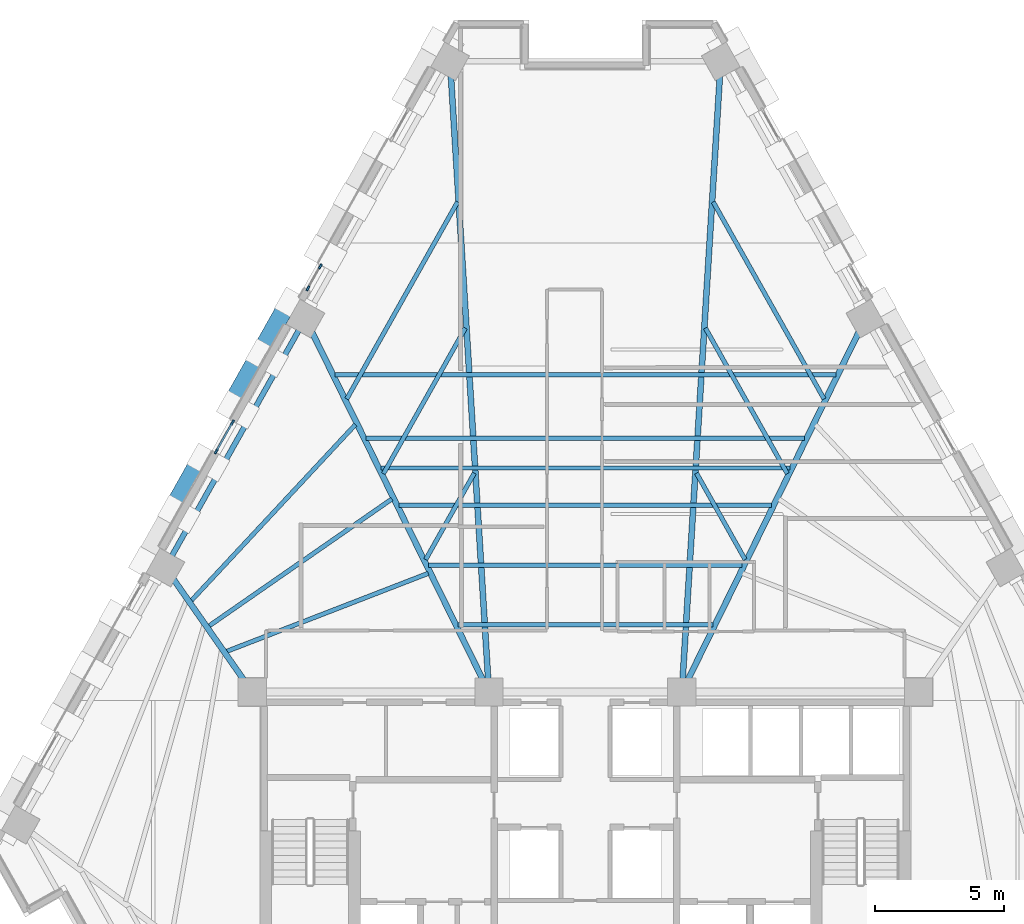
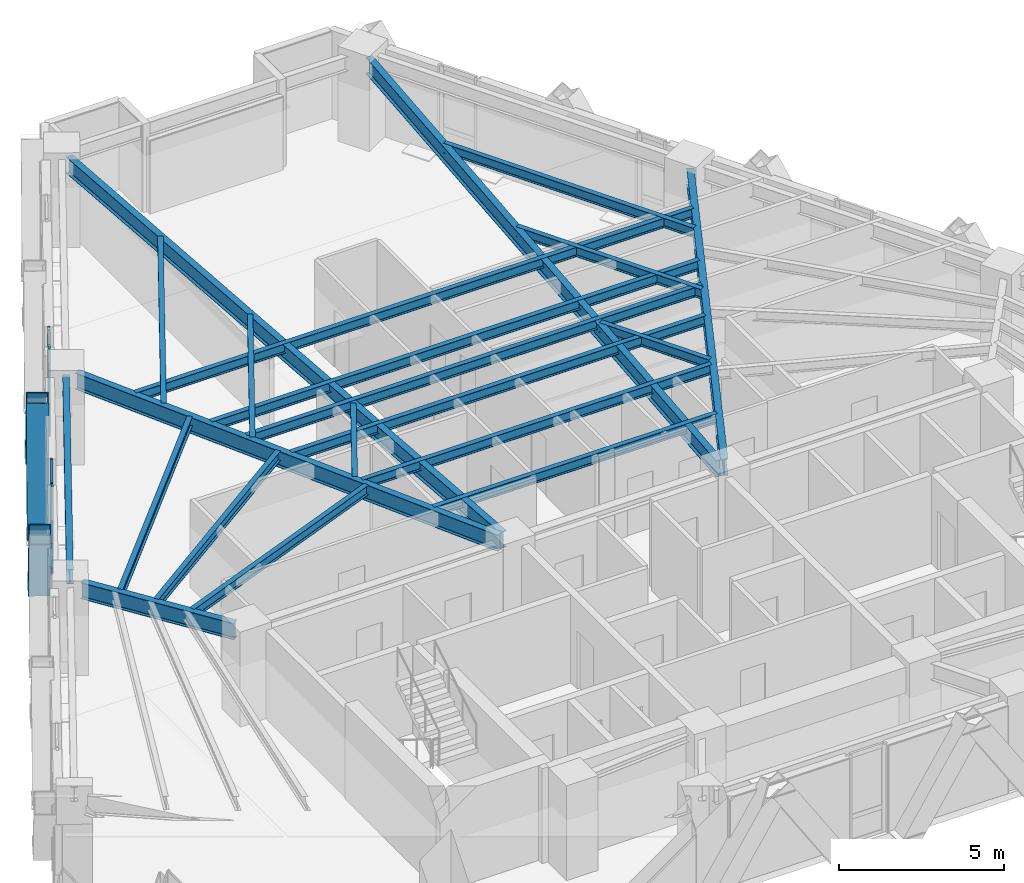
# One storey, part 3 of 13: 21 beams, 10 members, 2 elements without a shape of their own.
"""IFC4 building model written with IfcOpenShell, lengths in metres."""

from ifc_helpers import new_model, si_unit, direction, frame, origin, origin_2d, place, context, subcontext, project, spatial, rectangle, hollow_rectangle, i_section, extrude, material, material_profile, profile_set, type_object, element, aggregate, save


model = new_model("IFC4")

# Units and contexts
model_context = context("Model", 3, precision=1e-05, world=origin(), true_north=direction((0.0, 1.0)))
body_context = subcontext(model_context, "Body", "Model", "MODEL_VIEW")
ifc_project = project(units=[si_unit("LENGTHUNIT", "METRE"), si_unit("AREAUNIT", "SQUARE_METRE"), si_unit("VOLUMEUNIT", "CUBIC_METRE"), si_unit("PLANEANGLEUNIT", "RADIAN"), si_unit("MASSUNIT", "GRAM", prefix="KILO")], contexts=[model_context])

# Site, building, storey
site_placement = place(None, origin())
site = spatial("IfcSite", under=ifc_project, at=site_placement, CompositionType="ELEMENT")
building_placement = place(site_placement, origin())
building = spatial("IfcBuilding", under=site, at=building_placement, Name="Quenlor Broadcast Tower", CompositionType="ELEMENT")
storey_placement = place(building_placement, frame((0.0, 0.0, 116.0)))
storey = spatial("IfcBuildingStorey", under=building, at=storey_placement, Name="L31", CompositionType="ELEMENT", Elevation=116.0)

# Curtain wall, members
ifc_material_1 = material(Name="Architectural Terracotta and Low-E Glazing", Category="masonry")
curtain_wall_type = type_object("IfcCurtainWallType", Name="Unitised Terracotta Curtain Wall System Z2", PredefinedType="NOTDEFINED", material=ifc_material_1)
curtain_wall_1_placement = place(storey_placement, origin())
curtain_wall_1 = element("IfcCurtainWall", 1, at=curtain_wall_1_placement, inside=storey, type_object=curtain_wall_type, Name="L31 Curtain Wall CW2 (L31-NWC-G1)", PredefinedType="NOTDEFINED")
ifc_material_2 = material(Name="Aluminium 6063-T6", Category="aluminium")
ifc_material_profile_1 = material_profile(ifc_material_2, rectangle(XDim=0.074951171875, YDim=0.199951171875, at=origin_2d()))
ifc_profile_set_1 = profile_set([ifc_material_profile_1], Name="Aluminium 6063-T6 MULL75x200")
member_type_1 = type_object("IfcMemberType", Name="CW2 Aluminium Mullion MULL_CW2", PredefinedType="MULLION", material=ifc_profile_set_1)
member_1_placement = place(storey_placement, frame((-10.7880859375, 10.894775390625, 0.0), z_axis=(0.0, 0.0, 1.0), x_axis=(-0.871580587336, 0.490252261371, 0.0)))
member_1 = element("IfcMember", 2, at=member_1_placement, type_object=member_type_1, Name="CW2 mullion 1", PredefinedType="MULLION", context=body_context, shape_type="SweptSolid", body=[
    extrude(rectangle(XDim=0.074951171875, YDim=0.199951171875, at=origin_2d()), origin(), (0.0, 0.0, 1.0), 3.25),
])
member_2_placement = place(storey_placement, frame((-10.306396484375, 11.751220703125, 0.0), z_axis=(0.0, 0.0, 1.0), x_axis=(-0.871580587336, 0.490252261371, 0.0)))
member_2 = element("IfcMember", 3, at=member_2_placement, type_object=member_type_1, Name="CW2 mullion 2", PredefinedType="MULLION", context=body_context, shape_type="SweptSolid", body=[
    extrude(rectangle(XDim=0.074951171875, YDim=0.199951171875, at=origin_2d()), origin(), (0.0, 0.0, 1.0), 3.25),
])
aggregate(curtain_wall_1, [member_1, member_2])

curtain_wall_2_placement = place(storey_placement, origin())
curtain_wall_2 = element("IfcCurtainWall", 4, at=curtain_wall_2_placement, inside=storey, type_object=curtain_wall_type, Name="L31 Curtain Wall CW2 (L31-NW-G1)", PredefinedType="NOTDEFINED")
member_3_placement = place(storey_placement, frame((-14.3515625, 4.559814453125, 0.0), z_axis=(0.0, 0.0, 1.0), x_axis=(-0.871579452423, 0.490254279037, 0.0)))
member_3 = element("IfcMember", 5, at=member_3_placement, type_object=member_type_1, Name="CW2 mullion 1", PredefinedType="MULLION", context=body_context, shape_type="SweptSolid", body=[
    extrude(rectangle(XDim=0.074951171875, YDim=0.199951171875, at=origin_2d()), origin(), (0.0, 0.0, 1.0), 3.25),
])
member_4_placement = place(storey_placement, frame((-13.719482421875, 5.683349609375, 0.0), z_axis=(0.0, 0.0, 1.0), x_axis=(-0.871579452423, 0.490254279037, 0.0)))
member_4 = element("IfcMember", 6, at=member_4_placement, type_object=member_type_1, Name="CW2 mullion 2", PredefinedType="MULLION", context=body_context, shape_type="SweptSolid", body=[
    extrude(rectangle(XDim=0.074951171875, YDim=0.199951171875, at=origin_2d()), origin(), (0.0, 0.0, 1.0), 3.25),
])
ifc_material_3 = material(Name="Aluminium 6063-T6", Category="aluminium")
ifc_material_profile_2 = material_profile(ifc_material_3, rectangle(XDim=0.074951171875, YDim=0.1650390625, at=origin_2d()))
ifc_profile_set_2 = profile_set([ifc_material_profile_2], Name="Aluminium 6063-T6 TRAN75x165")
member_type_2 = type_object("IfcMemberType", Name="CW2 Aluminium Transom TRAN_CW2", PredefinedType="USERDEFINED", material=ifc_profile_set_2)
member_5_placement = place(storey_placement, frame((-14.333251953125, 4.592529296875, 0.03759765625), z_axis=(0.490433072585, 0.871478858788, 0.0), x_axis=(-0.871478858788, 0.490433072585, 0.0)))
member_5 = element("IfcMember", 7, at=member_5_placement, type_object=member_type_2, Name="CW2 transom 1.1", ObjectType="TRANSOM", PredefinedType="USERDEFINED", context=body_context, shape_type="SweptSolid", body=[
    extrude(rectangle(XDim=0.074951171875, YDim=0.1650390625, at=origin_2d()), origin(), (0.0, 0.0, 1.0), 1.214111328125),
])
member_6_placement = place(storey_placement, frame((-14.333251953125, 4.592529296875, 0.949951171875), z_axis=(0.490433072585, 0.871478858788, 0.0), x_axis=(-0.871478858788, 0.490433072585, 0.0)))
member_6 = element("IfcMember", 8, at=member_6_placement, type_object=member_type_2, Name="CW2 transom 1.2", ObjectType="TRANSOM", PredefinedType="USERDEFINED", context=body_context, shape_type="SweptSolid", body=[
    extrude(rectangle(XDim=0.074951171875, YDim=0.1650390625, at=origin_2d()), origin(), (0.0, 0.0, 1.0), 1.214111328125),
])
member_7_placement = place(storey_placement, frame((-14.333251953125, 4.592529296875, 3.21240234375), z_axis=(0.490433072585, 0.871478858788, 0.0), x_axis=(-0.871478858788, 0.490433072585, 0.0)))
member_7 = element("IfcMember", 9, at=member_7_placement, type_object=member_type_2, Name="CW2 transom 1.3", ObjectType="TRANSOM", PredefinedType="USERDEFINED", context=body_context, shape_type="SweptSolid", body=[
    extrude(rectangle(XDim=0.074951171875, YDim=0.1650390625, at=origin_2d()), origin(), (0.0, 0.0, 1.0), 1.214111328125),
])
aggregate(curtain_wall_2, [member_3, member_4, member_5, member_6, member_7])

# Members
ifc_material_4 = material(Name="Steel S355", Category="steel")
ifc_material_profile_3 = material_profile(ifc_material_4, hollow_rectangle(XDim=0.679931640625, YDim=0.679931640625, WallThickness=0.030029296875, at=origin_2d()))
ifc_profile_set_3 = profile_set([ifc_material_profile_3], Name="Steel S355 RHS680x680x30")
member_type_3 = type_object("IfcMemberType", Name="Perimeter Diagonal Lattice Brace Z2 Steel S355 RHS680x30", PredefinedType="BRACE", material=ifc_profile_set_3)
for number, where, z_axis, x_axis, name in (
    (10, (-13.80419921875, 6.338623046875, -0.1201171875), (0.268642373731, 0.477592925498, 0.83650240439), (-0.871578380919, 0.490256183964, 0.0), "L31 Perimeter Diamond Lattice NW-C3S"),
    (11, (-14.955322265625, 4.291748046875, -0.1201171875), (-0.268696511206, -0.477585438485, 0.836489290913), (0.871532878923, -0.490337068716, 0.0), "L31 Perimeter Diamond Lattice NW-C3B"),
):
    element("IfcMember", number, at=place(storey_placement, frame(where, z_axis=z_axis, x_axis=x_axis)), inside=storey, type_object=member_type_3, Name=name, PredefinedType="BRACE", context=body_context, shape_type="SweptSolid", body=[
        extrude(hollow_rectangle(XDim=0.679931640625, YDim=0.679931640625, WallThickness=0.030029296875, at=origin_2d()), origin(), (0.0, 0.0, 1.0), 4.18408203125),
    ])
member_8_placement = place(storey_placement, frame((-11.54248046875, 10.359619140625, -0.1201171875), z_axis=(-0.268634887212, -0.477637964099, 0.83647909276), x_axis=(0.871603971106, -0.490210686901, 0.0)))
element("IfcMember", 12, at=member_8_placement, inside=storey, type_object=member_type_3, Name="L31 Perimeter Diamond Lattice NW-C4B", PredefinedType="BRACE", context=body_context, shape_type="SweptSolid", body=[
    extrude(hollow_rectangle(XDim=0.679931640625, YDim=0.679931640625, WallThickness=0.030029296875, at=origin_2d()), origin(), (0.0, 0.0, 1.0), 4.184326171875),
])

# Beams
ifc_material_5 = material(Name="Steel S355", Category="steel")
ifc_material_profile_4 = material_profile(ifc_material_5, i_section(OverallWidth=0.208984375, OverallDepth=0.5283203125, WebThickness=0.009521484375, FlangeThickness=0.01318359375, FilletRadius=0.013916015625, at=origin_2d()))
ifc_profile_set_4 = profile_set([ifc_material_profile_4], Name="Steel S355 530UB82.0")
beam_type_1 = type_object("IfcBeamType", Name="Perimeter Spandrel Beam Z2 Steel S355 530UB82.0", PredefinedType="SPANDREL", material=ifc_profile_set_4)
beam_1_placement = place(storey_placement, frame((-11.087890625, 9.3623046875, 2.98583984375), z_axis=(-0.49026462139, -0.871573634878, 0.0), x_axis=(0.871573634878, -0.49026462139, 0.0)))
element("IfcBeam", 13, at=beam_1_placement, inside=storey, type_object=beam_type_1, Name="L31 Spandrel Beam NW2-NW3", PredefinedType="SPANDREL", context=body_context, shape_type="SweptSolid", body=[
    extrude(i_section(OverallWidth=0.208984375, OverallDepth=0.5283203125, WebThickness=0.009521484375, FlangeThickness=0.01318359375, FilletRadius=0.013916015625, at=origin_2d()), origin(), (0.0, 0.0, 1.0), 10.28271484375),
])
ifc_material_6 = material(Name="Steel S355", Category="steel")
ifc_material_profile_5 = material_profile(ifc_material_6, i_section(OverallWidth=0.172119140625, OverallDepth=0.358642578125, WebThickness=0.008056640625, FlangeThickness=0.012939453125, FilletRadius=0.011474609375, at=origin_2d()))
ifc_profile_set_5 = profile_set([ifc_material_profile_5], Name="Steel S355 360UB56.7")
beam_type_2 = type_object("IfcBeamType", Name="Tower Composite Joist Z2-Z3 Steel S355 360UB56.7", PredefinedType="JOIST", material=ifc_profile_set_5)
beam_2_placement = place(storey_placement, frame((-4.95458984375, -2.1865234375, 3.07080078125), z_axis=(1.0, 0.0, 0.0), x_axis=(0.0, 1.0, 0.0)))
element("IfcBeam", 14, at=beam_2_placement, inside=storey, type_object=beam_type_2, Name="L31 Secondary Composite Joist 1", PredefinedType="JOIST", context=body_context, shape_type="SweptSolid", body=[
    extrude(i_section(OverallWidth=0.172119140625, OverallDepth=0.358642578125, WebThickness=0.008056640625, FlangeThickness=0.012939453125, FilletRadius=0.011474609375, at=origin_2d()), origin(), (0.0, 0.0, 1.0), 9.9091796875),
])
beam_3_placement = place(storey_placement, frame((-7.9521484375, 3.911865234375, 3.07080078125), z_axis=(1.0, 0.0, 0.0), x_axis=(0.0, 1.0, 0.0)))
element("IfcBeam", 15, at=beam_3_placement, inside=storey, type_object=beam_type_2, Name="L31 Secondary Composite Joist 2", PredefinedType="JOIST", context=body_context, shape_type="SweptSolid", body=[
    extrude(i_section(OverallWidth=0.172119140625, OverallDepth=0.358642578125, WebThickness=0.008056640625, FlangeThickness=0.012939453125, FilletRadius=0.011474609375, at=origin_2d()), origin(), (0.0, 0.0, 1.0), 15.904296875),
])
beam_4_placement = place(storey_placement, frame((-6.096435546875, 0.13671875, 3.07080078125), z_axis=(1.0, 0.0, 0.0), x_axis=(0.0, 1.0, 0.0)))
element("IfcBeam", 16, at=beam_4_placement, inside=storey, type_object=beam_type_2, Name="L31 Secondary Composite Joist 3", PredefinedType="JOIST", context=body_context, shape_type="SweptSolid", body=[
    extrude(i_section(OverallWidth=0.172119140625, OverallDepth=0.358642578125, WebThickness=0.008056640625, FlangeThickness=0.012939453125, FilletRadius=0.011474609375, at=origin_2d()), origin(), (0.0, 0.0, 1.0), 12.19287109375),
])
beam_5_placement = place(storey_placement, frame((-7.238525390625, 2.4599609375, 3.07080078125), z_axis=(1.0, 0.0, 0.0), x_axis=(0.0, 1.0, 0.0)))
element("IfcBeam", 17, at=beam_5_placement, inside=storey, type_object=beam_type_2, Name="L31 Secondary Composite Joist 4", PredefinedType="JOIST", context=body_context, shape_type="SweptSolid", body=[
    extrude(i_section(OverallWidth=0.172119140625, OverallDepth=0.358642578125, WebThickness=0.008056640625, FlangeThickness=0.012939453125, FilletRadius=0.011474609375, at=origin_2d()), origin(), (0.0, 0.0, 1.0), 14.47705078125),
])
beam_6_placement = place(storey_placement, frame((-8.523193359375, 5.073486328125, 3.07080078125), z_axis=(1.0, 0.0, 0.0), x_axis=(0.0, 1.0, 0.0)))
element("IfcBeam", 18, at=beam_6_placement, inside=storey, type_object=beam_type_2, Name="L31 Secondary Composite Joist 5", PredefinedType="JOIST", context=body_context, shape_type="SweptSolid", body=[
    extrude(i_section(OverallWidth=0.172119140625, OverallDepth=0.358642578125, WebThickness=0.008056640625, FlangeThickness=0.012939453125, FilletRadius=0.011474609375, at=origin_2d()), origin(), (0.0, 0.0, 1.0), 17.04638671875),
])
beam_7_placement = place(storey_placement, frame((-9.736328125, 7.541748046875, 3.07080078125), z_axis=(1.0, 0.0, 0.0), x_axis=(0.0, 1.0, 0.0)))
element("IfcBeam", 19, at=beam_7_placement, inside=storey, type_object=beam_type_2, Name="L31 Secondary Composite Joist 6", PredefinedType="JOIST", context=body_context, shape_type="SweptSolid", body=[
    extrude(i_section(OverallWidth=0.172119140625, OverallDepth=0.358642578125, WebThickness=0.008056640625, FlangeThickness=0.012939453125, FilletRadius=0.011474609375, at=origin_2d()), origin(), (0.0, 0.0, 1.0), 19.47265625),
])
beam_8_placement = place(storey_placement, frame((-13.95703125, -3.221435546875, 3.07080078125), z_axis=(0.932542579586, 0.361060018916, 0.0), x_axis=(-0.361060018916, 0.932542579586, 0.0)))
element("IfcBeam", 20, at=beam_8_placement, inside=storey, type_object=beam_type_2, Name="L31 Secondary Composite Joist 7", PredefinedType="JOIST", context=body_context, shape_type="SweptSolid", body=[
    extrude(i_section(OverallWidth=0.172119140625, OverallDepth=0.358642578125, WebThickness=0.008056640625, FlangeThickness=0.012939453125, FilletRadius=0.011474609375, at=origin_2d()), origin(), (0.0, 0.0, 1.0), 8.416259765625),
])
beam_9_placement = place(storey_placement, frame((-14.641845703125, -2.236083984375, 3.07080078125), z_axis=(0.821385737622, 0.570373097219, 0.0), x_axis=(-0.570373097219, 0.821385737622, 0.0)))
element("IfcBeam", 21, at=beam_9_placement, inside=storey, type_object=beam_type_2, Name="L31 Secondary Composite Joist 8", PredefinedType="JOIST", context=body_context, shape_type="SweptSolid", body=[
    extrude(i_section(OverallWidth=0.172119140625, OverallDepth=0.358642578125, WebThickness=0.008056640625, FlangeThickness=0.012939453125, FilletRadius=0.011474609375, at=origin_2d()), origin(), (0.0, 0.0, 1.0), 8.662109375),
])
beam_10_placement = place(storey_placement, frame((-15.3291015625, -1.254638671875, 3.07080078125), z_axis=(0.681880655944, 0.73146344478, 0.0), x_axis=(-0.73146344478, 0.681880655944, 0.0)))
element("IfcBeam", 22, at=beam_10_placement, inside=storey, type_object=beam_type_2, Name="L31 Secondary Composite Joist 9", PredefinedType="JOIST", context=body_context, shape_type="SweptSolid", body=[
    extrude(i_section(OverallWidth=0.172119140625, OverallDepth=0.358642578125, WebThickness=0.008056640625, FlangeThickness=0.012939453125, FilletRadius=0.011474609375, at=origin_2d()), origin(), (0.0, 0.0, 1.0), 9.365234375),
])
beam_11_placement = place(storey_placement, frame((-4.318603515625, 3.7119140625, 3.07080078125), z_axis=(-0.49024921379, -0.871582301552, 0.0), x_axis=(0.871582301552, -0.49024921379, 0.0)))
element("IfcBeam", 23, at=beam_11_placement, inside=storey, type_object=beam_type_2, Name="L31 Secondary Composite Joist 25", PredefinedType="JOIST", context=body_context, shape_type="SweptSolid", body=[
    extrude(i_section(OverallWidth=0.172119140625, OverallDepth=0.358642578125, WebThickness=0.008056640625, FlangeThickness=0.012939453125, FilletRadius=0.011474609375, at=origin_2d()), origin(), (0.0, 0.0, 1.0), 3.85546875),
])
beam_12_placement = place(storey_placement, frame((-4.66650390625, 9.351318359375, 3.07080078125), z_axis=(-0.490232680913, -0.871591600789, 0.0), x_axis=(0.871591600789, -0.490232680913, 0.0)))
element("IfcBeam", 24, at=beam_12_placement, inside=storey, type_object=beam_type_2, Name="L31 Secondary Composite Joist 26", PredefinedType="JOIST", context=body_context, shape_type="SweptSolid", body=[
    extrude(i_section(OverallWidth=0.172119140625, OverallDepth=0.358642578125, WebThickness=0.008056640625, FlangeThickness=0.012939453125, FilletRadius=0.011474609375, at=origin_2d()), origin(), (0.0, 0.0, 1.0), 6.494140625),
])
beam_13_placement = place(storey_placement, frame((-4.96875, 14.255126953125, 3.07080078125), z_axis=(-0.490273109583, -0.871568860171, 0.0), x_axis=(0.871568860171, -0.490273109583, 0.0)))
element("IfcBeam", 25, at=beam_13_placement, inside=storey, type_object=beam_type_2, Name="L31 Secondary Composite Joist 27", PredefinedType="JOIST", context=body_context, shape_type="SweptSolid", body=[
    extrude(i_section(OverallWidth=0.172119140625, OverallDepth=0.358642578125, WebThickness=0.008056640625, FlangeThickness=0.012939453125, FilletRadius=0.011474609375, at=origin_2d()), origin(), (0.0, 0.0, 1.0), 8.78857421875),
])
beam_14_placement = place(storey_placement, frame((4.318603515625, 3.7119140625, 3.07080078125), z_axis=(0.49024921379, -0.871582301552, 0.0), x_axis=(0.871582301552, 0.49024921379, 0.0)))
element("IfcBeam", 26, at=beam_14_placement, inside=storey, type_object=beam_type_2, Name="L31 Secondary Composite Joist 28", PredefinedType="JOIST", context=body_context, shape_type="SweptSolid", body=[
    extrude(i_section(OverallWidth=0.172119140625, OverallDepth=0.358642578125, WebThickness=0.008056640625, FlangeThickness=0.012939453125, FilletRadius=0.011474609375, at=origin_2d()), origin(), (0.0, 0.0, 1.0), 3.85546875),
])
beam_15_placement = place(storey_placement, frame((4.66650390625, 9.351318359375, 3.07080078125), z_axis=(0.490232680913, -0.871591600789, 0.0), x_axis=(0.871591600789, 0.490232680913, 0.0)))
element("IfcBeam", 27, at=beam_15_placement, inside=storey, type_object=beam_type_2, Name="L31 Secondary Composite Joist 29", PredefinedType="JOIST", context=body_context, shape_type="SweptSolid", body=[
    extrude(i_section(OverallWidth=0.172119140625, OverallDepth=0.358642578125, WebThickness=0.008056640625, FlangeThickness=0.012939453125, FilletRadius=0.011474609375, at=origin_2d()), origin(), (0.0, 0.0, 1.0), 6.494140625),
])
beam_16_placement = place(storey_placement, frame((4.96875, 14.255126953125, 3.07080078125), z_axis=(0.490273109583, -0.871568860171, 0.0), x_axis=(0.871568860171, 0.490273109583, 0.0)))
element("IfcBeam", 28, at=beam_16_placement, inside=storey, type_object=beam_type_2, Name="L31 Secondary Composite Joist 30", PredefinedType="JOIST", context=body_context, shape_type="SweptSolid", body=[
    extrude(i_section(OverallWidth=0.172119140625, OverallDepth=0.358642578125, WebThickness=0.008056640625, FlangeThickness=0.012939453125, FilletRadius=0.011474609375, at=origin_2d()), origin(), (0.0, 0.0, 1.0), 8.78857421875),
])
ifc_material_7 = material(Name="Steel S355", Category="steel")
ifc_material_profile_6 = material_profile(ifc_material_7, i_section(OverallWidth=0.22802734375, OverallDepth=0.60205078125, WebThickness=0.010498046875, FlangeThickness=0.014892578125, FilletRadius=0.013916015625, at=origin_2d()))
ifc_profile_set_6 = profile_set([ifc_material_profile_6], Name="Steel S355 610UB101")
beam_type_3 = type_object("IfcBeamType", Name="Tower Primary Floor Beam Z2 Steel S355 610UB101", PredefinedType="BEAM", material=ifc_profile_set_6)
beam_17_placement = place(storey_placement, frame((10.7060546875, 9.351806640625, 2.948974609375), z_axis=(-0.441130328176, -0.897443053103, 0.0), x_axis=(0.897443053103, -0.441130328176, 0.0)))
element("IfcBeam", 29, at=beam_17_placement, inside=storey, type_object=beam_type_3, Name="L31 Primary Radial Beam NE3", PredefinedType="BEAM", context=body_context, shape_type="SweptSolid", body=[
    extrude(i_section(OverallWidth=0.22802734375, OverallDepth=0.60205078125, WebThickness=0.010498046875, FlangeThickness=0.014892578125, FilletRadius=0.013916015625, at=origin_2d()), origin(), (0.0, 0.0, 1.0), 15.38916015625),
])
for number, where, z_axis, x_axis, name in (
    (30, (5.237060546875, 19.309814453125, 2.948974609375), (-0.061559977358, -0.998103386022, 0.0), (0.998103386022, -0.061559977358, 0.0), "L31 Primary Radial Beam NE4"),
    (31, (-5.237060546875, 19.309814453125, 2.948974609375), (0.061559977358, -0.998103386022, 0.0), (0.998103386022, 0.061559977358, 0.0), "L31 Primary Radial Beam NW1"),
):
    element("IfcBeam", number, at=place(storey_placement, frame(where, z_axis=z_axis, x_axis=x_axis)), inside=storey, type_object=beam_type_3, Name=name, PredefinedType="BEAM", context=body_context, shape_type="SweptSolid", body=[
        extrude(i_section(OverallWidth=0.22802734375, OverallDepth=0.60205078125, WebThickness=0.010498046875, FlangeThickness=0.014892578125, FilletRadius=0.013916015625, at=origin_2d()), origin(), (0.0, 0.0, 1.0), 23.775634765625),
    ])
beam_18_placement = place(storey_placement, frame((-10.7060546875, 9.351806640625, 2.948974609375), z_axis=(0.441130328176, -0.897443053103, 0.0), x_axis=(0.897443053103, 0.441130328176, 0.0)))
element("IfcBeam", 32, at=beam_18_placement, inside=storey, type_object=beam_type_3, Name="L31 Primary Radial Beam NW2", PredefinedType="BEAM", context=body_context, shape_type="SweptSolid", body=[
    extrude(i_section(OverallWidth=0.22802734375, OverallDepth=0.60205078125, WebThickness=0.010498046875, FlangeThickness=0.014892578125, FilletRadius=0.013916015625, at=origin_2d()), origin(), (0.0, 0.0, 1.0), 15.38916015625),
])
beam_19_placement = place(storey_placement, frame((-16.095458984375, -0.293212890625, 2.948974609375), z_axis=(0.572337599985, -0.820018092266, 0.0), x_axis=(0.820018092266, 0.572337599985, 0.0)))
element("IfcBeam", 33, at=beam_19_placement, inside=storey, type_object=beam_type_3, Name="L31 Primary Radial Beam NW3", PredefinedType="BEAM", context=body_context, shape_type="SweptSolid", body=[
    extrude(i_section(OverallWidth=0.22802734375, OverallDepth=0.60205078125, WebThickness=0.010498046875, FlangeThickness=0.014892578125, FilletRadius=0.013916015625, at=origin_2d()), origin(), (0.0, 0.0, 1.0), 5.11572265625),
])

save(model, "model.ifc")
